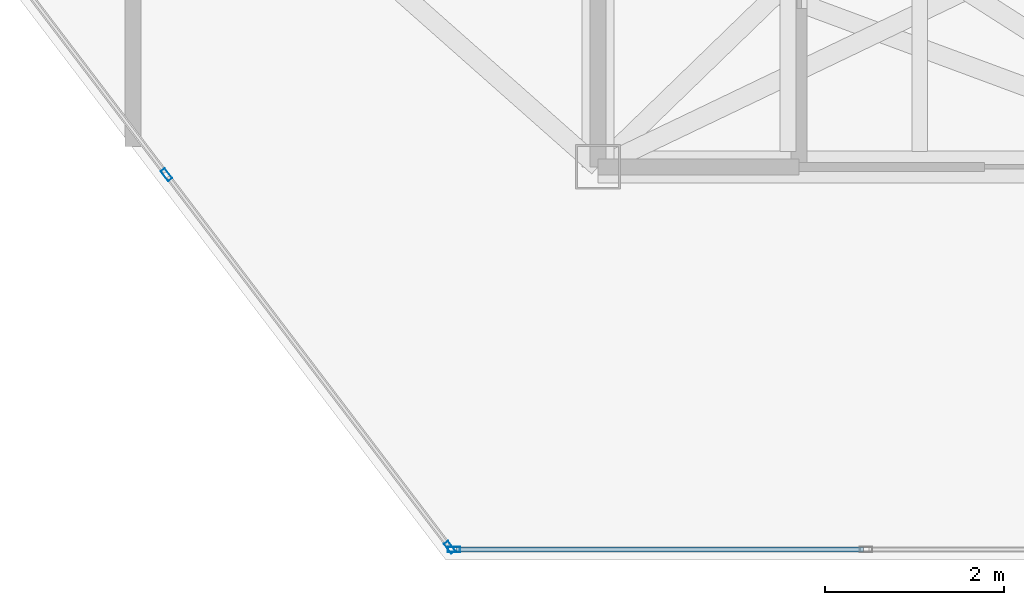
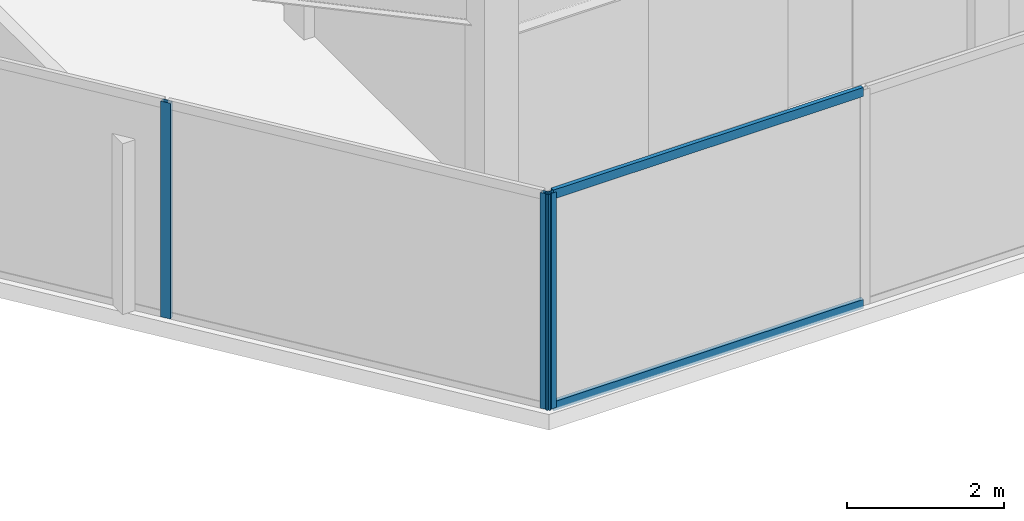
# One storey, part 8 of 19: 5 members, 2 elements without a shape of their own.
"""IFC4 building model written with IfcOpenShell, lengths in metres."""

from ifc_helpers import new_model, si_unit, direction, frame, origin, origin_2d, place, context, subcontext, project, spatial, hollow_rectangle, extrude, material, layer, layer_set, material_profile, profile_set, type_object, element, aggregate, save


model = new_model("IFC4")

# Units and contexts
model_context = context("Model", 3, precision=1e-05, world=origin(), true_north=direction((0.0, 1.0)))
body_context = subcontext(model_context, "Body", "Model", "MODEL_VIEW")
ifc_project = project(units=[si_unit("LENGTHUNIT", "METRE"), si_unit("AREAUNIT", "SQUARE_METRE"), si_unit("VOLUMEUNIT", "CUBIC_METRE"), si_unit("PLANEANGLEUNIT", "RADIAN"), si_unit("MASSUNIT", "GRAM", prefix="KILO")], contexts=[model_context])

# Site, building, storey
site_placement = place(None, origin())
site = spatial("IfcSite", under=ifc_project, at=site_placement, CompositionType="ELEMENT")
building_placement = place(site_placement, origin())
building = spatial("IfcBuilding", under=site, at=building_placement, Name="Kravanh Interchange Tower", CompositionType="ELEMENT")
storey_placement = place(building_placement, frame((0.0, 0.0, 259.800048828125)))
storey = spatial("IfcBuildingStorey", under=building, at=storey_placement, Name="L63", CompositionType="ELEMENT", Elevation=259.800048828125)

# Curtain wall, member
ifc_material_1 = material(Name="Anodised Bronze Aluminium", Category="aluminium")
ifc_layer = layer(ifc_material_1, 0.179931640625)
ifc_layer_set = layer_set([ifc_layer], Name="Unitised Curtain Wall System CW-HTL Luxury Hotel")
curtain_wall_type = type_object("IfcCurtainWallType", Name="Unitised Curtain Wall System CW-HTL Luxury Hotel", PredefinedType="NOTDEFINED", material=ifc_layer_set)
curtain_wall_1_placement = place(storey_placement, origin())
curtain_wall_1 = element("IfcCurtainWall", 1, at=curtain_wall_1_placement, inside=storey, type_object=curtain_wall_type, Name="L63 Unitised Curtain Wall CW-L63-03", PredefinedType="NOTDEFINED")
ifc_material_2 = material(Name="Anodised Bronze Aluminium", Category="aluminium")
ifc_material_profile_1 = material_profile(ifc_material_2, hollow_rectangle(XDim=0.06005859375, YDim=0.139892578125, WallThickness=0.00390625, at=origin_2d()), Name="ALU60X140X4")
ifc_profile_set_1 = profile_set([ifc_material_profile_1], Name="Anodised Bronze Aluminium")
member_type_1 = type_object("IfcMemberType", Name="Curtain Wall Mullion ALU60X140X4 Bronze", PredefinedType="MULLION", material=ifc_profile_set_1)
member_1_placement = place(storey_placement, frame((54.389404296875, 17.919921875, 0.0), z_axis=(0.0, 0.0, 1.0), x_axis=(0.0, -1.0, 0.0)))
member_1 = element("IfcMember", 2, at=member_1_placement, type_object=member_type_1, Name="CW-HTL mullion 3", PredefinedType="MULLION", context=body_context, shape_type="SweptSolid", body=[
    extrude(hollow_rectangle(XDim=0.06005859375, YDim=0.139892578125, WallThickness=0.00390625, at=origin_2d()), origin(), (0.0, 0.0, 1.0), 3.349853515625),
])

# Curtain wall, members
curtain_wall_2_placement = place(storey_placement, origin())
curtain_wall_2 = element("IfcCurtainWall", 3, at=curtain_wall_2_placement, inside=storey, type_object=curtain_wall_type, Name="L63 Unitised Curtain Wall CW-L63-04", PredefinedType="NOTDEFINED")
member_2_placement = place(storey_placement, frame((54.34130859375, 17.94384765625, 0.0), z_axis=(0.0, 0.0, 1.0), x_axis=(-0.79616243806, -0.605082946564, 0.0)))
member_2 = element("IfcMember", 4, at=member_2_placement, type_object=member_type_1, Name="CW-HTL mullion 1", PredefinedType="MULLION", context=body_context, shape_type="SweptSolid", body=[
    extrude(hollow_rectangle(XDim=0.06005859375, YDim=0.139892578125, WallThickness=0.00390625, at=origin_2d()), origin(), (0.0, 0.0, 1.0), 3.349853515625),
])
member_3_placement = place(storey_placement, frame((51.173095703125, 22.11279296875, 0.0), z_axis=(0.0, 0.0, 1.0), x_axis=(-0.79616243806, -0.605082946564, 0.0)))
member_3 = element("IfcMember", 5, at=member_3_placement, type_object=member_type_1, Name="CW-HTL mullion 2", PredefinedType="MULLION", context=body_context, shape_type="SweptSolid", body=[
    extrude(hollow_rectangle(XDim=0.06005859375, YDim=0.139892578125, WallThickness=0.00390625, at=origin_2d()), origin(), (0.0, 0.0, 1.0), 3.349853515625),
])
aggregate(curtain_wall_2, [member_2, member_3])

# Member
ifc_material_3 = material(Name="Anodised Bronze Aluminium", Category="aluminium")
ifc_material_profile_2 = material_profile(ifc_material_3, hollow_rectangle(XDim=0.06005859375, YDim=0.139892578125, WallThickness=0.00390625, at=origin_2d()), Name="ALU60X140X4")
ifc_profile_set_2 = profile_set([ifc_material_profile_2], Name="Anodised Bronze Aluminium")
member_type_2 = type_object("IfcMemberType", Name="Curtain Wall Transom ALU60X140X4 Bronze", PredefinedType="USERDEFINED", material=ifc_profile_set_2)
member_4_placement = place(storey_placement, frame((58.969970703125, 17.919921875, 0.030029296875), z_axis=(-1.0, 0.0, 0.0), x_axis=(0.0, -1.0, 0.0)))
member_4 = element("IfcMember", 6, at=member_4_placement, type_object=member_type_2, Name="CW-HTL transom 2.1", ObjectType="TRANSOM", PredefinedType="USERDEFINED", context=body_context, shape_type="SweptSolid", body=[
    extrude(hollow_rectangle(XDim=0.06005859375, YDim=0.139892578125, WallThickness=0.00390625, at=origin_2d()), origin(), (0.0, 0.0, 1.0), 4.550537109375),
])

member_5_placement = place(storey_placement, frame((58.969970703125, 17.919921875, 3.320068359375), z_axis=(-1.0, 0.0, 0.0), x_axis=(0.0, -1.0, 0.0)))
member_5 = element("IfcMember", 7, at=member_5_placement, type_object=member_type_2, Name="CW-HTL transom 2.2", ObjectType="TRANSOM", PredefinedType="USERDEFINED", context=body_context, shape_type="SweptSolid", body=[
    extrude(hollow_rectangle(XDim=0.06005859375, YDim=0.139892578125, WallThickness=0.00390625, at=origin_2d()), origin(), (0.0, 0.0, 1.0), 4.550537109375),
])

aggregate(curtain_wall_1, [member_1, member_4, member_5])

save(model, "model.ifc")
